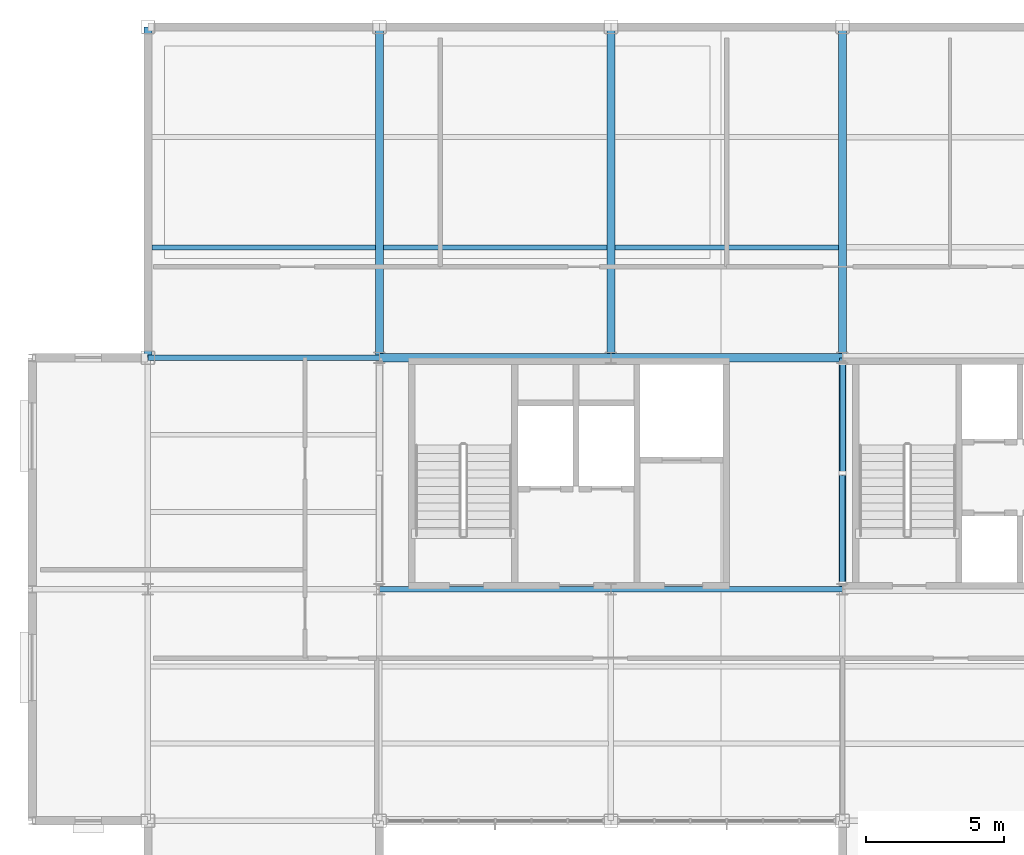
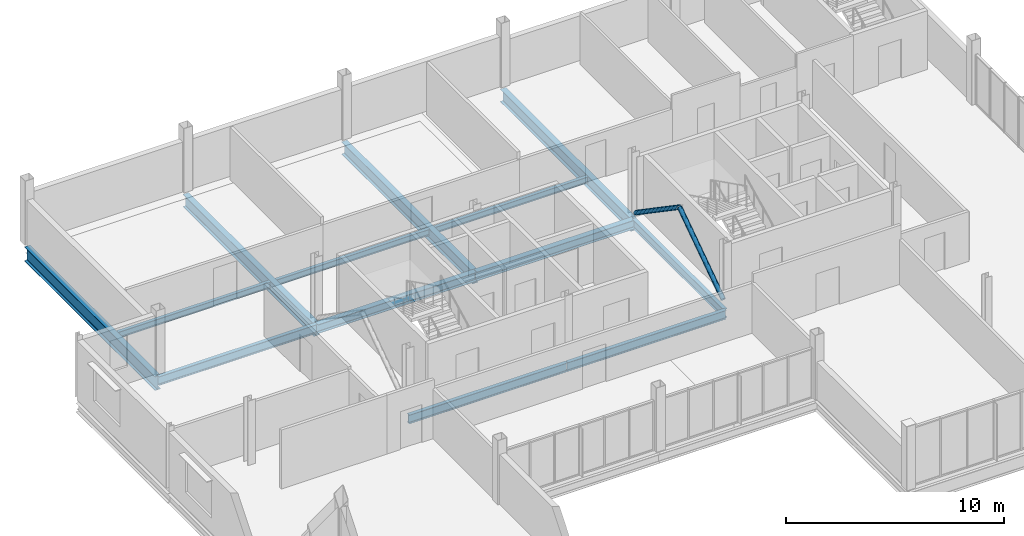
# One storey, part 7 of 19: 13 beams, 2 members.
"""IFC4 building model written with IfcOpenShell, lengths in metres."""

from ifc_helpers import new_model, si_unit, direction, frame, origin, origin_2d, place, context, subcontext, project, spatial, hollow_circle, i_section, extrude, material, material_profile, profile_set, type_object, element, save


model = new_model("IFC4")

# Units and contexts
model_context = context("Model", 3, precision=1e-05, world=origin(), true_north=direction((0.0, 1.0)))
body_context = subcontext(model_context, "Body", "Model", "MODEL_VIEW")
ifc_project = project(units=[si_unit("LENGTHUNIT", "METRE"), si_unit("AREAUNIT", "SQUARE_METRE"), si_unit("VOLUMEUNIT", "CUBIC_METRE"), si_unit("PLANEANGLEUNIT", "RADIAN"), si_unit("MASSUNIT", "GRAM", prefix="KILO")], contexts=[model_context])

# Site, building, storey
site_placement = place(None, origin())
site = spatial("IfcSite", under=ifc_project, at=site_placement, CompositionType="ELEMENT")
building_placement = place(site_placement, origin())
building = spatial("IfcBuilding", under=site, at=building_placement, Name="Yukiwa Park Conservatory and Herbarium", CompositionType="ELEMENT")
storey_placement = place(building_placement, frame((0.0, 0.0, 31.800048828125)))
storey = spatial("IfcBuildingStorey", under=building, at=storey_placement, Name="L08", CompositionType="ELEMENT", Elevation=31.800048828125)

# Beams
ifc_material_1 = material(Name="Steel Q355D", Category="steel")
ifc_material_profile_1 = material_profile(ifc_material_1, i_section(OverallWidth=0.198974609375, OverallDepth=0.49609375, WebThickness=0.009033203125, FlangeThickness=0.013916015625, FilletRadius=0.02001953125, at=origin_2d()), Name="HN 496x199x9x14")
ifc_profile_set_1 = profile_set([ifc_material_profile_1], Name="Steel Q355D")
beam_type_1 = type_object("IfcBeamType", Name="BM-GRD-HN496", PredefinedType="BEAM", material=ifc_profile_set_1)
for number, where, z_axis, x_axis, name in (
    (1, (133.2060546875, 94.800048828125, -0.49609375), (1.0, 0.0, 0.0), (0.0, 1.0, 0.0), "L08 grid beam X-12"),
    (2, (141.60595703125, 94.800048828125, -0.49609375), (1.0, 0.0, 0.0), (0.0, 1.0, 0.0), "L08 grid beam X-13"),
):
    element("IfcBeam", number, at=place(storey_placement, frame(where, z_axis=z_axis, x_axis=x_axis)), inside=storey, type_object=beam_type_1, Name=name, PredefinedType="BEAM", context=body_context, shape_type="SweptSolid", body=[
        extrude(i_section(OverallWidth=0.198974609375, OverallDepth=0.49609375, WebThickness=0.009033203125, FlangeThickness=0.013916015625, FilletRadius=0.02001953125, at=origin_2d()), origin(), (0.0, 0.0, 1.0), 8.387939453125),
    ])
beam_1_placement = place(storey_placement, frame((124.805908203125, 103.199951171875, -0.49609375), z_axis=(1.0, 0.0, 0.0), x_axis=(0.0, 1.0, 0.0)))
element("IfcBeam", 3, at=beam_1_placement, inside=storey, type_object=beam_type_1, Name="L08 grid beam X-17", PredefinedType="BEAM", context=body_context, shape_type="SweptSolid", body=[
    extrude(i_section(OverallWidth=0.198974609375, OverallDepth=0.49609375, WebThickness=0.009033203125, FlangeThickness=0.013916015625, FilletRadius=0.02001953125, at=origin_2d()), origin(), (0.0, 0.0, 1.0), 8.38818359375),
])
ifc_material_2 = material(Name="Steel Q355D", Category="steel")
ifc_material_profile_2 = material_profile(ifc_material_2, i_section(OverallWidth=0.199951171875, OverallDepth=0.5, WebThickness=0.010009765625, FlangeThickness=0.01611328125, FilletRadius=0.02001953125, at=origin_2d()), Name="HN 500x200x10x16")
ifc_profile_set_2 = profile_set([ifc_material_profile_2], Name="Steel Q355D")
beam_type_2 = type_object("IfcBeamType", Name="BM-GRD-HN500", PredefinedType="BEAM", material=ifc_profile_set_2)
beam_2_placement = place(storey_placement, frame((150.0, 94.805908203125, -0.498046875), z_axis=(0.0, 1.0, 0.0), x_axis=(-1.0, 0.0, 0.0)))
element("IfcBeam", 4, at=beam_2_placement, inside=storey, type_object=beam_type_2, Name="L08 grid girder Y-41", PredefinedType="BEAM", context=body_context, shape_type="SweptSolid", body=[
    extrude(i_section(OverallWidth=0.199951171875, OverallDepth=0.5, WebThickness=0.010009765625, FlangeThickness=0.01611328125, FilletRadius=0.02001953125, at=origin_2d()), origin(), (0.0, 0.0, 1.0), 8.38818359375),
])
ifc_material_3 = material(Name="Steel Q355D", Category="steel")
ifc_material_profile_3 = material_profile(ifc_material_3, i_section(OverallWidth=0.300048828125, OverallDepth=0.699951171875, WebThickness=0.012939453125, FlangeThickness=0.02392578125, FilletRadius=0.028076171875, at=origin_2d()), Name="HN 700x300x13x24")
ifc_profile_set_3 = profile_set([ifc_material_profile_3], Name="Steel Q355D")
beam_type_3 = type_object("IfcBeamType", Name="BM-GRD-HN700", PredefinedType="BEAM", material=ifc_profile_set_3)
for number, where, z_axis, x_axis, name in (
    (5, (133.199951171875, 103.2060546875, -0.59814453125), (0.0, 1.0, 0.0), (-1.0, 0.0, 0.0), "L08 grid girder Y-36"),
    (6, (141.60009765625, 103.2060546875, -0.59814453125), (0.0, 1.0, 0.0), (-1.0, 0.0, 0.0), "L08 grid girder Y-38"),
    (7, (150.0, 103.2060546875, -0.59814453125), (0.0, 1.0, 0.0), (-1.0, 0.0, 0.0), "L08 grid girder Y-42"),
):
    element("IfcBeam", number, at=place(storey_placement, frame(where, z_axis=z_axis, x_axis=x_axis)), inside=storey, type_object=beam_type_3, Name=name, PredefinedType="BEAM", context=body_context, shape_type="SweptSolid", body=[
        extrude(i_section(OverallWidth=0.300048828125, OverallDepth=0.699951171875, WebThickness=0.012939453125, FlangeThickness=0.02392578125, FilletRadius=0.028076171875, at=origin_2d()), origin(), (0.0, 0.0, 1.0), 11.988037109375),
    ])
ifc_material_4 = material(Name="Steel Q355D", Category="steel")
ifc_material_profile_4 = material_profile(ifc_material_4, i_section(OverallWidth=0.174072265625, OverallDepth=0.345947265625, WebThickness=0.006103515625, FlangeThickness=0.009033203125, FilletRadius=0.013916015625, at=origin_2d()), Name="HN 346x174x6x9")
ifc_profile_set_4 = profile_set([ifc_material_profile_4], Name="Steel Q355D")
beam_type_4 = type_object("IfcBeamType", Name="BM-JST-HN346", PredefinedType="JOIST", material=ifc_profile_set_4)
beam_3_placement = place(storey_placement, frame((124.946044921875, 107.199951171875, -0.421142578125), z_axis=(1.0, 0.0, 0.0), x_axis=(0.0, 1.0, 0.0)))
element("IfcBeam", 8, at=beam_3_placement, inside=storey, type_object=beam_type_4, Name="L08 composite floor joist 7", PredefinedType="JOIST", context=body_context, shape_type="SweptSolid", body=[
    extrude(i_section(OverallWidth=0.174072265625, OverallDepth=0.345947265625, WebThickness=0.006103515625, FlangeThickness=0.009033203125, FilletRadius=0.013916015625, at=origin_2d()), origin(), (0.0, 0.0, 1.0), 8.10791015625),
])
beam_4_placement = place(storey_placement, frame((133.345947265625, 107.199951171875, -0.421142578125), z_axis=(1.0, 0.0, 0.0), x_axis=(0.0, 1.0, 0.0)))
element("IfcBeam", 9, at=beam_4_placement, inside=storey, type_object=beam_type_4, Name="L08 composite floor joist 11", PredefinedType="JOIST", context=body_context, shape_type="SweptSolid", body=[
    extrude(i_section(OverallWidth=0.174072265625, OverallDepth=0.345947265625, WebThickness=0.006103515625, FlangeThickness=0.009033203125, FilletRadius=0.013916015625, at=origin_2d()), origin(), (0.0, 0.0, 1.0), 8.108154296875),
])
beam_5_placement = place(storey_placement, frame((141.74609375, 107.199951171875, -0.421142578125), z_axis=(1.0, 0.0, 0.0), x_axis=(0.0, 1.0, 0.0)))
element("IfcBeam", 10, at=beam_5_placement, inside=storey, type_object=beam_type_4, Name="L08 composite floor joist 15", PredefinedType="JOIST", context=body_context, shape_type="SweptSolid", body=[
    extrude(i_section(OverallWidth=0.174072265625, OverallDepth=0.345947265625, WebThickness=0.006103515625, FlangeThickness=0.009033203125, FilletRadius=0.013916015625, at=origin_2d()), origin(), (0.0, 0.0, 1.0), 8.10791015625),
])
ifc_material_5 = material(Name="Steel Q355D", Category="steel")
ifc_material_profile_5 = material_profile(ifc_material_5, i_section(OverallWidth=0.300048828125, OverallDepth=0.5, WebThickness=0.010986328125, FlangeThickness=0.01806640625, FilletRadius=0.02392578125, at=origin_2d()), Name="HM 500x300x11x18")
ifc_profile_set_5 = profile_set([ifc_material_profile_5], Name="Steel Q355D")
beam_type_5 = type_object("IfcBeamType", Name="BM-SPN-HN500", PredefinedType="SPANDREL", material=ifc_profile_set_5)
for number, where, z_axis, x_axis, name in (
    (11, (133.2060546875, 103.199951171875, -0.498046875), (1.0, 0.0, 0.0), (0.0, 1.0, 0.0), "L08 spandrel beam X-18"),
    (12, (141.60595703125, 103.199951171875, -0.498046875), (1.0, 0.0, 0.0), (0.0, 1.0, 0.0), "L08 spandrel beam X-19"),
):
    element("IfcBeam", number, at=place(storey_placement, frame(where, z_axis=z_axis, x_axis=x_axis)), inside=storey, type_object=beam_type_5, Name=name, PredefinedType="SPANDREL", context=body_context, shape_type="SweptSolid", body=[
        extrude(i_section(OverallWidth=0.300048828125, OverallDepth=0.5, WebThickness=0.010986328125, FlangeThickness=0.01806640625, FilletRadius=0.02392578125, at=origin_2d()), origin(), (0.0, 0.0, 1.0), 8.387939453125),
    ])
ifc_material_6 = material(Name="Steel Q355D", Category="steel")
ifc_material_profile_6 = material_profile(ifc_material_6, i_section(OverallWidth=0.300048828125, OverallDepth=0.7919921875, WebThickness=0.013916015625, FlangeThickness=0.02197265625, FilletRadius=0.028076171875, at=origin_2d()), Name="HN 792x300x14x22")
ifc_profile_set_6 = profile_set([ifc_material_profile_6], Name="Steel Q355D")
beam_type_6 = type_object("IfcBeamType", Name="BM-SPN-HN600", PredefinedType="SPANDREL", material=ifc_profile_set_6)
beam_6_placement = place(storey_placement, frame((124.800048828125, 103.2060546875, -0.64404296875), z_axis=(0.0, 1.0, 0.0), x_axis=(-1.0, 0.0, 0.0)))
element("IfcBeam", 13, at=beam_6_placement, inside=storey, type_object=beam_type_6, Name="L08 spandrel girder Y-32", PredefinedType="SPANDREL", context=body_context, shape_type="SweptSolid", body=[
    extrude(i_section(OverallWidth=0.300048828125, OverallDepth=0.7919921875, WebThickness=0.013916015625, FlangeThickness=0.02197265625, FilletRadius=0.028076171875, at=origin_2d()), origin(), (0.0, 0.0, 1.0), 11.988037109375),
])

# Members
ifc_material_7 = material(Name="Steel Q355D", Category="steel")
ifc_material_profile_7 = material_profile(ifc_material_7, hollow_circle(Radius=0.122314453125, WallThickness=0.010009765625, at=origin_2d()), Name="CHS 244.5x10")
ifc_profile_set_7 = profile_set([ifc_material_profile_7], Name="Steel Q355D")
member_type = type_object("IfcMemberType", Name="MB-BR-CHS245", PredefinedType="BRACE", material=ifc_profile_set_7)
for number, where, z_axis, x_axis, name in (
    (14, (150.0, 94.995361328125, 0.18310546875), (0.0, 0.825614551, 0.564234537384), (-1.0, 0.0, 0.0), "L08 concentric chevron brace 47"),
    (15, (150.0, 103.004638671875, 0.18310546875), (0.0, -0.825614551, 0.564234537384), (1.0, 0.0, 0.0), "L08 concentric chevron brace 48"),
):
    element("IfcMember", number, at=place(storey_placement, frame(where, z_axis=z_axis, x_axis=x_axis)), inside=storey, type_object=member_type, Name=name, PredefinedType="BRACE", context=body_context, shape_type="SweptSolid", body=[
        extrude(hollow_circle(Radius=0.122314453125, WallThickness=0.010009765625, at=origin_2d()), origin(), (0.0, 0.0, 1.0), 4.8505859375),
    ])

save(model, "model.ifc")
